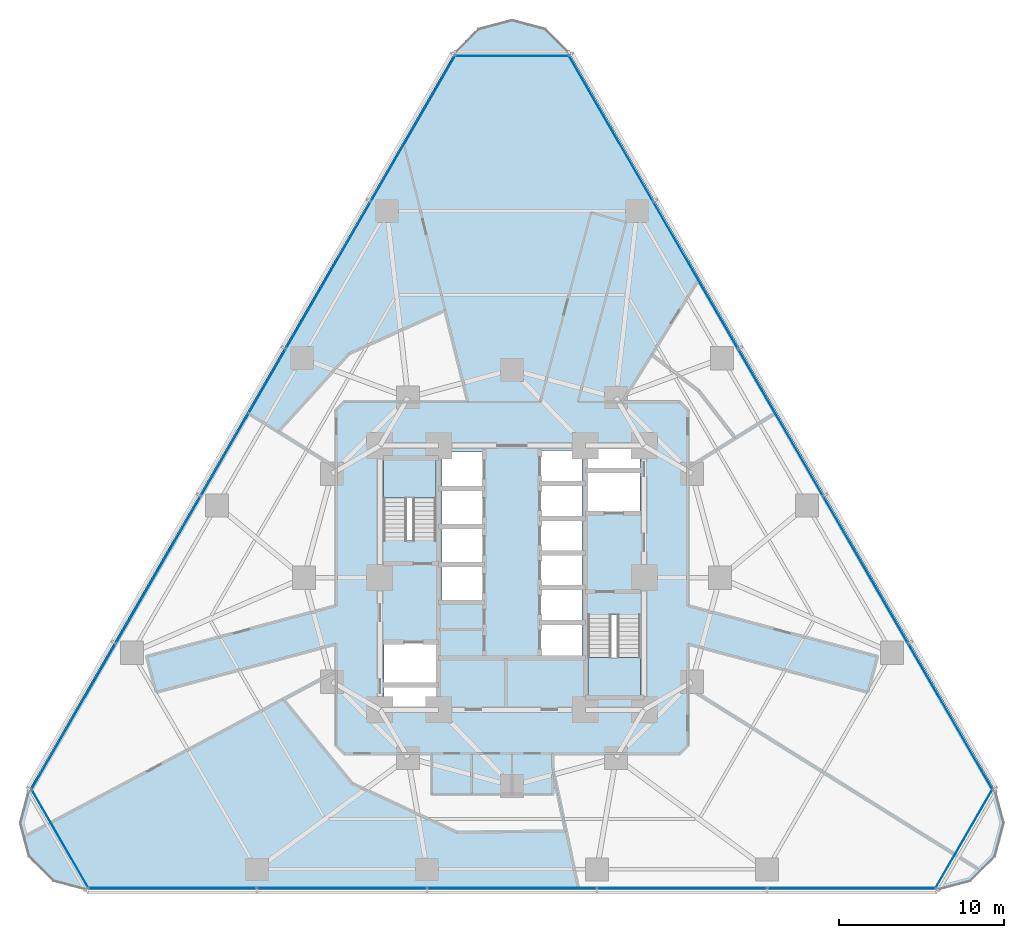
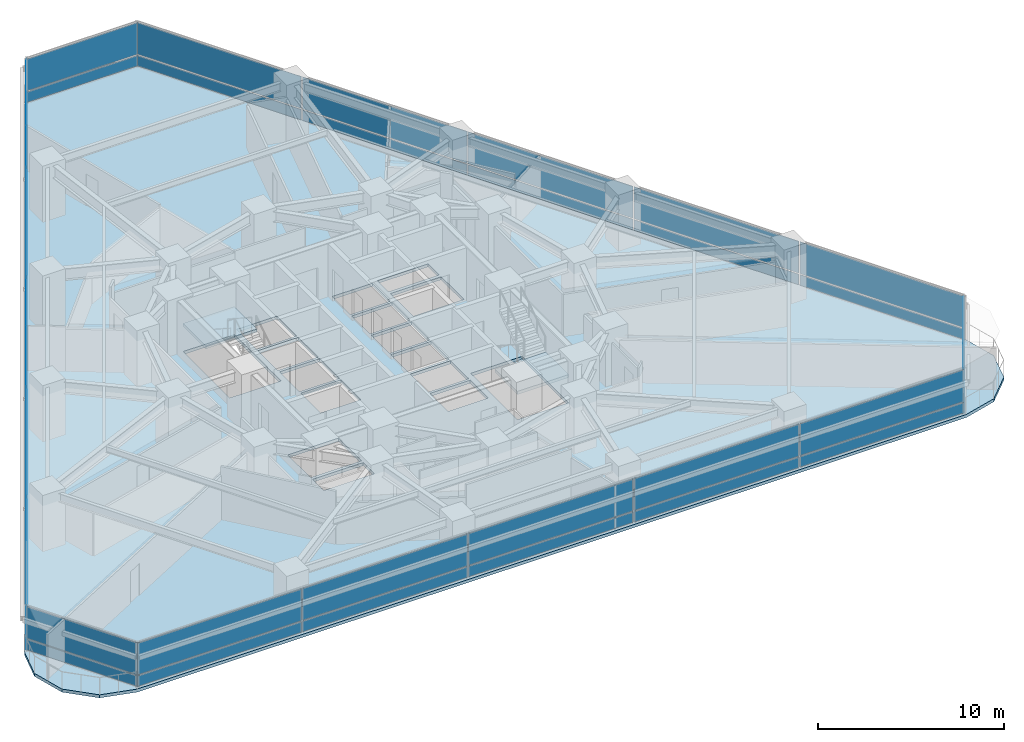
# One storey, part 7 of 15: 36 plates, 3 slabs, 8 elements without a shape of their own.
"""IFC4 building model written with IfcOpenShell, lengths in metres."""

from ifc_helpers import new_model, si_unit, direction, frame, origin, origin_2d, place, context, subcontext, project, spatial, polyline, rectangle, outline, extrude, material, layer, layer_set, type_object, element, aggregate, save


model = new_model("IFC4")

# Units and contexts
model_context = context("Model", 3, precision=1e-05, world=origin(), true_north=direction((0.0, 1.0)))
body_context = subcontext(model_context, "Body", "Model", "MODEL_VIEW")
ifc_project = project(units=[si_unit("LENGTHUNIT", "METRE"), si_unit("AREAUNIT", "SQUARE_METRE"), si_unit("VOLUMEUNIT", "CUBIC_METRE"), si_unit("PLANEANGLEUNIT", "RADIAN"), si_unit("MASSUNIT", "GRAM", prefix="KILO")], contexts=[model_context])

# Site, building, storey
site_placement = place(None, origin())
site = spatial("IfcSite", under=ifc_project, at=site_placement, CompositionType="ELEMENT")
building_placement = place(site_placement, origin())
building = spatial("IfcBuilding", under=site, at=building_placement, Name="Terralouvre Media Tower", CompositionType="ELEMENT")
storey_placement = place(building_placement, frame((0.0, 0.0, 33.39990234375)))
storey = spatial("IfcBuildingStorey", under=building, at=storey_placement, Name="L07", CompositionType="ELEMENT", Elevation=33.39990234375)

# Slab
ifc_material_1 = material(Name="Concrete C40/50", Category="concrete")
ifc_layer_1 = layer(ifc_material_1, 0.199951171875, Name="Composite Tower Floor Slab S-TYP200")
ifc_layer_set_1 = layer_set([ifc_layer_1], Name="Concrete C40/50")
slab_type_1 = type_object("IfcSlabType", Name="Composite Tower Floor Slab S-TYP200", PredefinedType="FLOOR", material=ifc_layer_set_1)
slab_1_placement = place(storey_placement, frame((0.0, 0.0, -0.199951171875)))
element("IfcSlab", 1, at=slab_1_placement, inside=storey, type_object=slab_type_1, Name="L07 Structural Floor Slab", PredefinedType="FLOOR", context=body_context, shape_type="SweptSolid", body=[
    extrude(outline(polyline([(-29.25732421875, -12.841796875), (-29.800048828125, -14.86669921875), (-29.25732421875, -16.891845703125), (-27.77490234375, -18.374267578125), (-25.75, -18.916748046875), (25.75, -18.916748046875), (27.77490234375, -18.374267578125), (29.25732421875, -16.891845703125), (29.800048828125, -14.86669921875), (29.25732421875, -12.841796875), (3.50732421875, 31.758544921875), (2.02490234375, 33.240966796875), (0.0, 33.783447265625), (-2.02490234375, 33.240966796875), (-3.50732421875, 31.758544921875), (-29.25732421875, -12.841796875)]), holes=[polyline([(-4.60009765625, -7.800048828125), (-7.75, -7.800048828125), (-7.75, -6.60009765625), (-4.60009765625, -6.60009765625), (-4.60009765625, -7.800048828125)]), polyline([(-4.60009765625, -6.39990234375), (-7.75, -6.39990234375), (-7.75, -3.949951171875), (-4.60009765625, -3.949951171875), (-4.60009765625, -6.39990234375)]), polyline([(-1.75, -1.419921875), (-4.25, -1.419921875), (-4.25, 0.719970703125), (-1.75, 0.719970703125), (-1.75, -1.419921875)]), polyline([(-1.75, 0.8798828125), (-4.25, 0.8798828125), (-4.25, 3.02001953125), (-1.75, 3.02001953125), (-1.75, 0.8798828125)]), polyline([(4.25, 1.580078125), (1.75, 1.580078125), (1.75, 3.52001953125), (4.25, 3.52001953125), (4.25, 1.580078125)]), polyline([(-1.75, 3.179931640625), (-4.25, 3.179931640625), (-4.25, 5.320068359375), (-1.75, 5.320068359375), (-1.75, 3.179931640625)]), polyline([(-4.60009765625, 2.2451171875), (-7.780029296875, 2.2451171875), (-7.780029296875, 7.260009765625), (-4.60009765625, 7.260009765625), (-4.60009765625, 2.2451171875)]), polyline([(-1.75, 5.47998046875), (-4.25, 5.47998046875), (-4.25, 7.6201171875), (-1.75, 7.6201171875), (-1.75, 5.47998046875)]), polyline([(4.60009765625, -2.2451171875), (7.780029296875, -2.2451171875), (7.780029296875, -7.260009765625), (4.60009765625, -7.260009765625), (4.60009765625, -2.2451171875)]), polyline([(4.25, -4.719970703125), (1.75, -4.719970703125), (1.75, -2.780029296875), (4.25, -2.780029296875), (4.25, -4.719970703125)]), polyline([(4.25, -2.6201171875), (1.75, -2.6201171875), (1.75, -0.679931640625), (4.25, -0.679931640625), (4.25, -2.6201171875)]), polyline([(4.25, -0.52001953125), (1.75, -0.52001953125), (1.75, 1.419921875), (4.25, 1.419921875), (4.25, -0.52001953125)]), polyline([(4.25, 3.679931640625), (1.75, 3.679931640625), (1.75, 5.6201171875), (4.25, 5.6201171875), (4.25, 3.679931640625)]), polyline([(7.75, 3.949951171875), (4.60009765625, 3.949951171875), (4.60009765625, 6.39990234375), (7.75, 6.39990234375), (7.75, 3.949951171875)]), polyline([(4.25, 5.780029296875), (1.75, 5.780029296875), (1.75, 7.719970703125), (4.25, 7.719970703125), (4.25, 5.780029296875)]), polyline([(7.75, 6.60009765625), (4.60009765625, 6.60009765625), (4.60009765625, 7.800048828125), (7.75, 7.800048828125), (7.75, 6.60009765625)])]), origin(), (0.0, 0.0, 1.0), 0.199951171875),
])

# Stair, slab
ifc_material_2 = material(Name="Concrete C45/55", Category="concrete")
stair_type_1 = type_object("IfcStairType", Name="Dogleg Stair Assembly ST-01", PredefinedType="HALF_TURN_STAIR", material=ifc_material_2)
stair_1_placement = place(storey_placement, origin())
stair_1 = element("IfcStair", 2, at=stair_1_placement, inside=storey, type_object=stair_type_1, Name="L07 Core Pressurised Exit Stair ST-01", PredefinedType="HALF_TURN_STAIR")
ifc_material_3 = material(Name="Concrete C45/55", Category="concrete")
ifc_layer_2 = layer(ifc_material_3, 0.199951171875, Name="Reinforced Concrete Stair Half-Landing SL-LD1")
ifc_layer_set_2 = layer_set([ifc_layer_2], Name="Concrete C45/55")
slab_type_2 = type_object("IfcSlabType", Name="Reinforced Concrete Stair Half-Landing SL-LD1", PredefinedType="LANDING", material=ifc_layer_set_2)
slab_2_placement = place(storey_placement, frame((0.0, 0.0, 1.650146484375)))
slab_2 = element("IfcSlab", 3, at=slab_2_placement, type_object=slab_type_2, Name="ST-01 landing 1", PredefinedType="LANDING", context=body_context, shape_type="SweptSolid", body=[
    extrude(outline(polyline([(-4.60009765625, 4.820068359375), (-4.60009765625, 7.260009765625), (-7.780029296875, 7.260009765625), (-7.780029296875, 4.820068359375), (-4.60009765625, 4.820068359375)])), origin(), (0.0, 0.0, 1.0), 0.199951171875),
])
aggregate(stair_1, [slab_2])

ifc_material_4 = material(Name="Concrete C45/55", Category="concrete")
stair_type_2 = type_object("IfcStairType", Name="Dogleg Stair Assembly ST-02", PredefinedType="HALF_TURN_STAIR", material=ifc_material_4)
stair_2_placement = place(storey_placement, origin())
stair_2 = element("IfcStair", 4, at=stair_2_placement, inside=storey, type_object=stair_type_2, Name="L07 Core Pressurised Exit Stair ST-02", PredefinedType="HALF_TURN_STAIR")
slab_3_placement = place(storey_placement, frame((0.0, 0.0, 1.650146484375)))
slab_3 = element("IfcSlab", 5, at=slab_3_placement, type_object=slab_type_2, Name="ST-02 landing 1", PredefinedType="LANDING", context=body_context, shape_type="SweptSolid", body=[
    extrude(outline(polyline([(4.60009765625, -4.820068359375), (4.60009765625, -7.260009765625), (7.780029296875, -7.260009765625), (7.780029296875, -4.820068359375), (4.60009765625, -4.820068359375)])), origin(), (0.0, 0.0, 1.0), 0.199951171875),
])
aggregate(stair_2, [slab_3])

# Curtain wall, plates
ifc_material_5 = material(Name="Low-iron laminated double glazing with solar-control coating", Category="glass")
ifc_layer_3 = layer(ifc_material_5, 0.1650390625, Name="Rounded Wind-Corner Curved Glazing CW-04")
ifc_layer_set_3 = layer_set([ifc_layer_3], Name="Low-iron laminated double glazing with solar-control coating")
curtain_wall_type_1 = type_object("IfcCurtainWallType", Name="Rounded Wind-Corner Curved Glazing CW-04", PredefinedType="NOTDEFINED", material=ifc_layer_set_3)
curtain_wall_1_placement = place(storey_placement, origin())
curtain_wall_1 = element("IfcCurtainWall", 6, at=curtain_wall_1_placement, inside=storey, type_object=curtain_wall_type_1, Name="L07 Rounded Wind-Corner Curtain Wall C0", PredefinedType="NOTDEFINED")
ifc_material_6 = material(Name="Low-iron laminated double glazing with solar-control coating", Category="glass")
ifc_layer_4 = layer(ifc_material_6, 0.0400390625, Name="Rounded Corner Laminated Vision Panel CWP-03")
ifc_layer_set_4 = layer_set([ifc_layer_4], Name="Low-iron laminated double glazing with solar-control coating")
plate_type_1 = type_object("IfcPlateType", Name="Rounded Corner Laminated Vision Panel CWP-03", PredefinedType="CURTAIN_PANEL", material=ifc_layer_set_4)
plate_1_placement = place(storey_placement, frame((-27.382568359375, -15.809326171875, 0.0751953125), z_axis=(0.0, 0.0, 1.0), x_axis=(0.499999691503, -0.866025581895, 0.0)))
plate_1 = element("IfcPlate", 7, at=plate_1_placement, type_object=plate_type_1, Name="CW-04 panel 1.1", PredefinedType="CURTAIN_PANEL", context=body_context, shape_type="SweptSolid", body=[
    extrude(rectangle(XDim=6.86474609375, YDim=0.035888671875, at=origin_2d()), origin(), (0.0, 0.0, 1.0), 0.6875),
])
plate_2_placement = place(storey_placement, frame((-27.382568359375, -15.809326171875, 0.837646484375), z_axis=(0.0, 0.0, 1.0), x_axis=(0.499999691503, -0.866025581895, 0.0)))
plate_2 = element("IfcPlate", 8, at=plate_2_placement, type_object=plate_type_1, Name="CW-04 panel 1.2", PredefinedType="CURTAIN_PANEL", context=body_context, shape_type="SweptSolid", body=[
    extrude(rectangle(XDim=6.86474609375, YDim=0.035888671875, at=origin_2d()), origin(), (0.0, 0.0, 1.0), 2.08740234375),
])
aggregate(curtain_wall_1, [plate_1, plate_2])

curtain_wall_2_placement = place(storey_placement, origin())
curtain_wall_2 = element("IfcCurtainWall", 9, at=curtain_wall_2_placement, inside=storey, type_object=curtain_wall_type_1, Name="L07 Rounded Wind-Corner Curtain Wall C1", PredefinedType="NOTDEFINED")
plate_3_placement = place(storey_placement, frame((27.382568359375, -15.809326171875, 0.0751953125), z_axis=(0.0, 0.0, 1.0), x_axis=(0.499999691503, 0.866025581895, 0.0)))
plate_3 = element("IfcPlate", 10, at=plate_3_placement, type_object=plate_type_1, Name="CW-04 panel 1.1", PredefinedType="CURTAIN_PANEL", context=body_context, shape_type="SweptSolid", body=[
    extrude(rectangle(XDim=6.86474609375, YDim=0.035888671875, at=origin_2d()), origin(), (0.0, 0.0, 1.0), 0.6875),
])
plate_4_placement = place(storey_placement, frame((27.382568359375, -15.809326171875, 0.837646484375), z_axis=(0.0, 0.0, 1.0), x_axis=(0.499999691503, 0.866025581895, 0.0)))
plate_4 = element("IfcPlate", 11, at=plate_4_placement, type_object=plate_type_1, Name="CW-04 panel 1.2", PredefinedType="CURTAIN_PANEL", context=body_context, shape_type="SweptSolid", body=[
    extrude(rectangle(XDim=6.86474609375, YDim=0.035888671875, at=origin_2d()), origin(), (0.0, 0.0, 1.0), 2.08740234375),
])
aggregate(curtain_wall_2, [plate_3, plate_4])

curtain_wall_3_placement = place(storey_placement, origin())
curtain_wall_3 = element("IfcCurtainWall", 12, at=curtain_wall_3_placement, inside=storey, type_object=curtain_wall_type_1, Name="L07 Rounded Wind-Corner Curtain Wall C2", PredefinedType="NOTDEFINED")
plate_5_placement = place(storey_placement, frame((0.0, 31.61865234375, 0.0751953125), z_axis=(0.0, 0.0, 1.0), x_axis=(-1.0, 0.0, 0.0)))
plate_5 = element("IfcPlate", 13, at=plate_5_placement, type_object=plate_type_1, Name="CW-04 panel 1.1", PredefinedType="CURTAIN_PANEL", context=body_context, shape_type="SweptSolid", body=[
    extrude(rectangle(XDim=6.86474609375, YDim=0.035888671875, at=origin_2d()), origin(), (0.0, 0.0, 1.0), 0.6875),
])
plate_6_placement = place(storey_placement, frame((0.0, 31.61865234375, 0.837646484375), z_axis=(0.0, 0.0, 1.0), x_axis=(-1.0, 0.0, 0.0)))
plate_6 = element("IfcPlate", 14, at=plate_6_placement, type_object=plate_type_1, Name="CW-04 panel 1.2", PredefinedType="CURTAIN_PANEL", context=body_context, shape_type="SweptSolid", body=[
    extrude(rectangle(XDim=6.86474609375, YDim=0.035888671875, at=origin_2d()), origin(), (0.0, 0.0, 1.0), 2.08740234375),
])
aggregate(curtain_wall_3, [plate_5, plate_6])

ifc_material_7 = material(Name="Low-iron laminated double glazing with solar-control coating", Category="glass")
ifc_layer_5 = layer(ifc_material_7, 0.1650390625, Name="Lower Media Tower Unitised Curtain Wall CW-02")
ifc_layer_set_5 = layer_set([ifc_layer_5], Name="Low-iron laminated double glazing with solar-control coating")
curtain_wall_type_2 = type_object("IfcCurtainWallType", Name="Lower Media Tower Unitised Curtain Wall CW-02", PredefinedType="NOTDEFINED", material=ifc_layer_set_5)
curtain_wall_4_placement = place(storey_placement, origin())
curtain_wall_4 = element("IfcCurtainWall", 15, at=curtain_wall_4_placement, inside=storey, type_object=curtain_wall_type_2, Name="L07 Facade Curtain Wall F0", PredefinedType="NOTDEFINED")
ifc_material_8 = material(Name="Low-iron laminated double glazing with solar-control coating", Category="glass")
ifc_layer_6 = layer(ifc_material_8, 0.035888671875, Name="Vision Double-Glazed Unit CWP-01")
ifc_layer_set_6 = layer_set([ifc_layer_6], Name="Low-iron laminated double glazing with solar-control coating")
plate_type_2 = type_object("IfcPlateType", Name="Vision Double-Glazed Unit CWP-01", PredefinedType="CURTAIN_PANEL", material=ifc_layer_set_6)
plate_7_placement = place(storey_placement, frame((-20.581298828125, -18.796875, 0.0751953125), z_axis=(0.0, 0.0, 1.0), x_axis=(1.0, 0.0, 0.0)))
plate_7 = element("IfcPlate", 16, at=plate_7_placement, type_object=plate_type_2, Name="CW-02 panel 1.1", PredefinedType="CURTAIN_PANEL", context=body_context, shape_type="SweptSolid", body=[
    extrude(rectangle(XDim=10.1875, YDim=0.035888671875, at=origin_2d()), origin(), (0.0, 0.0, 1.0), 0.6875),
])
plate_8_placement = place(storey_placement, frame((-20.581298828125, -18.796875, 0.837646484375), z_axis=(0.0, 0.0, 1.0), x_axis=(1.0, 0.0, 0.0)))
plate_8 = element("IfcPlate", 17, at=plate_8_placement, type_object=plate_type_2, Name="CW-02 panel 1.2", PredefinedType="CURTAIN_PANEL", context=body_context, shape_type="SweptSolid", body=[
    extrude(rectangle(XDim=10.1875, YDim=0.035888671875, at=origin_2d()), origin(), (0.0, 0.0, 1.0), 2.08740234375),
])
plate_9_placement = place(storey_placement, frame((-10.300048828125, -18.796875, 0.0751953125), z_axis=(0.0, 0.0, 1.0), x_axis=(1.0, 0.0, 0.0)))
plate_9 = element("IfcPlate", 18, at=plate_9_placement, type_object=plate_type_2, Name="CW-02 panel 2.1", PredefinedType="CURTAIN_PANEL", context=body_context, shape_type="SweptSolid", body=[
    extrude(rectangle(XDim=10.22509765625, YDim=0.035888671875, at=origin_2d()), origin(), (0.0, 0.0, 1.0), 0.6875),
])
plate_10_placement = place(storey_placement, frame((-10.300048828125, -18.796875, 0.837646484375), z_axis=(0.0, 0.0, 1.0), x_axis=(1.0, 0.0, 0.0)))
plate_10 = element("IfcPlate", 19, at=plate_10_placement, type_object=plate_type_2, Name="CW-02 panel 2.2", PredefinedType="CURTAIN_PANEL", context=body_context, shape_type="SweptSolid", body=[
    extrude(rectangle(XDim=10.22509765625, YDim=0.035888671875, at=origin_2d()), origin(), (0.0, 0.0, 1.0), 2.08740234375),
])
plate_11_placement = place(storey_placement, frame((0.0, -18.796875, 0.0751953125), z_axis=(0.0, 0.0, 1.0), x_axis=(1.0, 0.0, 0.0)))
plate_11 = element("IfcPlate", 20, at=plate_11_placement, type_object=plate_type_2, Name="CW-02 panel 3.1", PredefinedType="CURTAIN_PANEL", context=body_context, shape_type="SweptSolid", body=[
    extrude(rectangle(XDim=10.22509765625, YDim=0.035888671875, at=origin_2d()), origin(), (0.0, 0.0, 1.0), 0.6875),
])
plate_12_placement = place(storey_placement, frame((0.0, -18.796875, 0.837646484375), z_axis=(0.0, 0.0, 1.0), x_axis=(1.0, 0.0, 0.0)))
plate_12 = element("IfcPlate", 21, at=plate_12_placement, type_object=plate_type_2, Name="CW-02 panel 3.2", PredefinedType="CURTAIN_PANEL", context=body_context, shape_type="SweptSolid", body=[
    extrude(rectangle(XDim=10.22509765625, YDim=0.035888671875, at=origin_2d()), origin(), (0.0, 0.0, 1.0), 2.08740234375),
])
plate_13_placement = place(storey_placement, frame((10.300048828125, -18.796875, 0.0751953125), z_axis=(0.0, 0.0, 1.0), x_axis=(1.0, 0.0, 0.0)))
plate_13 = element("IfcPlate", 22, at=plate_13_placement, type_object=plate_type_2, Name="CW-02 panel 4.1", PredefinedType="CURTAIN_PANEL", context=body_context, shape_type="SweptSolid", body=[
    extrude(rectangle(XDim=10.22509765625, YDim=0.035888671875, at=origin_2d()), origin(), (0.0, 0.0, 1.0), 0.6875),
])
plate_14_placement = place(storey_placement, frame((10.300048828125, -18.796875, 0.837646484375), z_axis=(0.0, 0.0, 1.0), x_axis=(1.0, 0.0, 0.0)))
plate_14 = element("IfcPlate", 23, at=plate_14_placement, type_object=plate_type_2, Name="CW-02 panel 4.2", PredefinedType="CURTAIN_PANEL", context=body_context, shape_type="SweptSolid", body=[
    extrude(rectangle(XDim=10.22509765625, YDim=0.035888671875, at=origin_2d()), origin(), (0.0, 0.0, 1.0), 2.08740234375),
])
plate_15_placement = place(storey_placement, frame((20.581298828125, -18.796875, 0.0751953125), z_axis=(0.0, 0.0, 1.0), x_axis=(1.0, 0.0, 0.0)))
plate_15 = element("IfcPlate", 24, at=plate_15_placement, type_object=plate_type_2, Name="CW-02 panel 5.1", PredefinedType="CURTAIN_PANEL", context=body_context, shape_type="SweptSolid", body=[
    extrude(rectangle(XDim=10.1875, YDim=0.035888671875, at=origin_2d()), origin(), (0.0, 0.0, 1.0), 0.6875),
])
plate_16_placement = place(storey_placement, frame((20.581298828125, -18.796875, 0.837646484375), z_axis=(0.0, 0.0, 1.0), x_axis=(1.0, 0.0, 0.0)))
plate_16 = element("IfcPlate", 25, at=plate_16_placement, type_object=plate_type_2, Name="CW-02 panel 5.2", PredefinedType="CURTAIN_PANEL", context=body_context, shape_type="SweptSolid", body=[
    extrude(rectangle(XDim=10.1875, YDim=0.035888671875, at=origin_2d()), origin(), (0.0, 0.0, 1.0), 2.08740234375),
])
aggregate(curtain_wall_4, [plate_7, plate_8, plate_9, plate_10, plate_11, plate_12, plate_13, plate_14, plate_15, plate_16])

curtain_wall_5_placement = place(storey_placement, origin())
curtain_wall_5 = element("IfcCurtainWall", 26, at=curtain_wall_5_placement, inside=storey, type_object=curtain_wall_type_2, Name="L07 Facade Curtain Wall F1", PredefinedType="NOTDEFINED")
plate_17_placement = place(storey_placement, frame((26.569091796875, -8.425537109375, 0.0751953125), z_axis=(0.0, 0.0, 1.0), x_axis=(-0.499999985671, 0.866025412057, 0.0)))
plate_17 = element("IfcPlate", 27, at=plate_17_placement, type_object=plate_type_2, Name="CW-02 panel 1.1", PredefinedType="CURTAIN_PANEL", context=body_context, shape_type="SweptSolid", body=[
    extrude(rectangle(XDim=10.1875, YDim=0.035888671875, at=origin_2d()), origin(), (0.0, 0.0, 1.0), 0.6875),
])
plate_18_placement = place(storey_placement, frame((26.569091796875, -8.425537109375, 0.837646484375), z_axis=(0.0, 0.0, 1.0), x_axis=(-0.499999985671, 0.866025412057, 0.0)))
plate_18 = element("IfcPlate", 28, at=plate_18_placement, type_object=plate_type_2, Name="CW-02 panel 1.2", PredefinedType="CURTAIN_PANEL", context=body_context, shape_type="SweptSolid", body=[
    extrude(rectangle(XDim=10.1875, YDim=0.035888671875, at=origin_2d()), origin(), (0.0, 0.0, 1.0), 2.08740234375),
])
plate_19_placement = place(storey_placement, frame((21.428466796875, 0.478271484375, 0.0751953125), z_axis=(0.0, 0.0, 1.0), x_axis=(-0.499999985671, 0.866025412057, 0.0)))
plate_19 = element("IfcPlate", 29, at=plate_19_placement, type_object=plate_type_2, Name="CW-02 panel 2.1", PredefinedType="CURTAIN_PANEL", context=body_context, shape_type="SweptSolid", body=[
    extrude(rectangle(XDim=10.22509765625, YDim=0.035888671875, at=origin_2d()), origin(), (0.0, 0.0, 1.0), 0.6875),
])
plate_20_placement = place(storey_placement, frame((21.428466796875, 0.478271484375, 0.837646484375), z_axis=(0.0, 0.0, 1.0), x_axis=(-0.499999985671, 0.866025412057, 0.0)))
plate_20 = element("IfcPlate", 30, at=plate_20_placement, type_object=plate_type_2, Name="CW-02 panel 2.2", PredefinedType="CURTAIN_PANEL", context=body_context, shape_type="SweptSolid", body=[
    extrude(rectangle(XDim=10.22509765625, YDim=0.035888671875, at=origin_2d()), origin(), (0.0, 0.0, 1.0), 2.08740234375),
])
plate_21_placement = place(storey_placement, frame((16.278564453125, 9.3984375, 0.0751953125), z_axis=(0.0, 0.0, 1.0), x_axis=(-0.499999985671, 0.866025412057, 0.0)))
plate_21 = element("IfcPlate", 31, at=plate_21_placement, type_object=plate_type_2, Name="CW-02 panel 3.1", PredefinedType="CURTAIN_PANEL", context=body_context, shape_type="SweptSolid", body=[
    extrude(rectangle(XDim=10.22509765625, YDim=0.035888671875, at=origin_2d()), origin(), (0.0, 0.0, 1.0), 0.6875),
])
plate_22_placement = place(storey_placement, frame((16.278564453125, 9.3984375, 0.837646484375), z_axis=(0.0, 0.0, 1.0), x_axis=(-0.499999985671, 0.866025412057, 0.0)))
plate_22 = element("IfcPlate", 32, at=plate_22_placement, type_object=plate_type_2, Name="CW-02 panel 3.2", PredefinedType="CURTAIN_PANEL", context=body_context, shape_type="SweptSolid", body=[
    extrude(rectangle(XDim=10.22509765625, YDim=0.035888671875, at=origin_2d()), origin(), (0.0, 0.0, 1.0), 2.08740234375),
])
plate_23_placement = place(storey_placement, frame((11.12841796875, 18.318359375, 0.0751953125), z_axis=(0.0, 0.0, 1.0), x_axis=(-0.499999985671, 0.866025412057, 0.0)))
plate_23 = element("IfcPlate", 33, at=plate_23_placement, type_object=plate_type_2, Name="CW-02 panel 4.1", PredefinedType="CURTAIN_PANEL", context=body_context, shape_type="SweptSolid", body=[
    extrude(rectangle(XDim=10.22509765625, YDim=0.035888671875, at=origin_2d()), origin(), (0.0, 0.0, 1.0), 0.6875),
])
plate_24_placement = place(storey_placement, frame((11.12841796875, 18.318359375, 0.837646484375), z_axis=(0.0, 0.0, 1.0), x_axis=(-0.499999985671, 0.866025412057, 0.0)))
plate_24 = element("IfcPlate", 34, at=plate_24_placement, type_object=plate_type_2, Name="CW-02 panel 4.2", PredefinedType="CURTAIN_PANEL", context=body_context, shape_type="SweptSolid", body=[
    extrude(rectangle(XDim=10.22509765625, YDim=0.035888671875, at=origin_2d()), origin(), (0.0, 0.0, 1.0), 2.08740234375),
])
plate_25_placement = place(storey_placement, frame((5.98779296875, 27.22216796875, 0.0751953125), z_axis=(0.0, 0.0, 1.0), x_axis=(-0.499999985671, 0.866025412057, 0.0)))
plate_25 = element("IfcPlate", 35, at=plate_25_placement, type_object=plate_type_2, Name="CW-02 panel 5.1", PredefinedType="CURTAIN_PANEL", context=body_context, shape_type="SweptSolid", body=[
    extrude(rectangle(XDim=10.1875, YDim=0.035888671875, at=origin_2d()), origin(), (0.0, 0.0, 1.0), 0.6875),
])
plate_26_placement = place(storey_placement, frame((5.98779296875, 27.22216796875, 0.837646484375), z_axis=(0.0, 0.0, 1.0), x_axis=(-0.499999985671, 0.866025412057, 0.0)))
plate_26 = element("IfcPlate", 36, at=plate_26_placement, type_object=plate_type_2, Name="CW-02 panel 5.2", PredefinedType="CURTAIN_PANEL", context=body_context, shape_type="SweptSolid", body=[
    extrude(rectangle(XDim=10.1875, YDim=0.035888671875, at=origin_2d()), origin(), (0.0, 0.0, 1.0), 2.08740234375),
])
aggregate(curtain_wall_5, [plate_17, plate_18, plate_19, plate_20, plate_21, plate_22, plate_23, plate_24, plate_25, plate_26])

curtain_wall_6_placement = place(storey_placement, origin())
curtain_wall_6 = element("IfcCurtainWall", 37, at=curtain_wall_6_placement, inside=storey, type_object=curtain_wall_type_2, Name="L07 Facade Curtain Wall F2", PredefinedType="NOTDEFINED")
plate_27_placement = place(storey_placement, frame((-5.98779296875, 27.22216796875, 0.0751953125), z_axis=(0.0, 0.0, 1.0), x_axis=(-0.499999985671, -0.866025412057, 0.0)))
plate_27 = element("IfcPlate", 38, at=plate_27_placement, type_object=plate_type_2, Name="CW-02 panel 1.1", PredefinedType="CURTAIN_PANEL", context=body_context, shape_type="SweptSolid", body=[
    extrude(rectangle(XDim=10.1875, YDim=0.035888671875, at=origin_2d()), origin(), (0.0, 0.0, 1.0), 0.6875),
])
plate_28_placement = place(storey_placement, frame((-5.98779296875, 27.22216796875, 0.837646484375), z_axis=(0.0, 0.0, 1.0), x_axis=(-0.499999985671, -0.866025412057, 0.0)))
plate_28 = element("IfcPlate", 39, at=plate_28_placement, type_object=plate_type_2, Name="CW-02 panel 1.2", PredefinedType="CURTAIN_PANEL", context=body_context, shape_type="SweptSolid", body=[
    extrude(rectangle(XDim=10.1875, YDim=0.035888671875, at=origin_2d()), origin(), (0.0, 0.0, 1.0), 2.08740234375),
])
plate_29_placement = place(storey_placement, frame((-11.12841796875, 18.318359375, 0.0751953125), z_axis=(0.0, 0.0, 1.0), x_axis=(-0.499999985671, -0.866025412057, 0.0)))
plate_29 = element("IfcPlate", 40, at=plate_29_placement, type_object=plate_type_2, Name="CW-02 panel 2.1", PredefinedType="CURTAIN_PANEL", context=body_context, shape_type="SweptSolid", body=[
    extrude(rectangle(XDim=10.22509765625, YDim=0.035888671875, at=origin_2d()), origin(), (0.0, 0.0, 1.0), 0.6875),
])
plate_30_placement = place(storey_placement, frame((-11.12841796875, 18.318359375, 0.837646484375), z_axis=(0.0, 0.0, 1.0), x_axis=(-0.499999985671, -0.866025412057, 0.0)))
plate_30 = element("IfcPlate", 41, at=plate_30_placement, type_object=plate_type_2, Name="CW-02 panel 2.2", PredefinedType="CURTAIN_PANEL", context=body_context, shape_type="SweptSolid", body=[
    extrude(rectangle(XDim=10.22509765625, YDim=0.035888671875, at=origin_2d()), origin(), (0.0, 0.0, 1.0), 2.08740234375),
])
plate_31_placement = place(storey_placement, frame((-16.278564453125, 9.3984375, 0.0751953125), z_axis=(0.0, 0.0, 1.0), x_axis=(-0.499999985671, -0.866025412057, 0.0)))
plate_31 = element("IfcPlate", 42, at=plate_31_placement, type_object=plate_type_2, Name="CW-02 panel 3.1", PredefinedType="CURTAIN_PANEL", context=body_context, shape_type="SweptSolid", body=[
    extrude(rectangle(XDim=10.22509765625, YDim=0.035888671875, at=origin_2d()), origin(), (0.0, 0.0, 1.0), 0.6875),
])
plate_32_placement = place(storey_placement, frame((-16.278564453125, 9.3984375, 0.837646484375), z_axis=(0.0, 0.0, 1.0), x_axis=(-0.499999985671, -0.866025412057, 0.0)))
plate_32 = element("IfcPlate", 43, at=plate_32_placement, type_object=plate_type_2, Name="CW-02 panel 3.2", PredefinedType="CURTAIN_PANEL", context=body_context, shape_type="SweptSolid", body=[
    extrude(rectangle(XDim=10.22509765625, YDim=0.035888671875, at=origin_2d()), origin(), (0.0, 0.0, 1.0), 2.08740234375),
])
plate_33_placement = place(storey_placement, frame((-21.428466796875, 0.478271484375, 0.0751953125), z_axis=(0.0, 0.0, 1.0), x_axis=(-0.499999985671, -0.866025412057, 0.0)))
plate_33 = element("IfcPlate", 44, at=plate_33_placement, type_object=plate_type_2, Name="CW-02 panel 4.1", PredefinedType="CURTAIN_PANEL", context=body_context, shape_type="SweptSolid", body=[
    extrude(rectangle(XDim=10.22509765625, YDim=0.035888671875, at=origin_2d()), origin(), (0.0, 0.0, 1.0), 0.6875),
])
plate_34_placement = place(storey_placement, frame((-21.428466796875, 0.478271484375, 0.837646484375), z_axis=(0.0, 0.0, 1.0), x_axis=(-0.499999985671, -0.866025412057, 0.0)))
plate_34 = element("IfcPlate", 45, at=plate_34_placement, type_object=plate_type_2, Name="CW-02 panel 4.2", PredefinedType="CURTAIN_PANEL", context=body_context, shape_type="SweptSolid", body=[
    extrude(rectangle(XDim=10.22509765625, YDim=0.035888671875, at=origin_2d()), origin(), (0.0, 0.0, 1.0), 2.08740234375),
])
plate_35_placement = place(storey_placement, frame((-26.569091796875, -8.425537109375, 0.0751953125), z_axis=(0.0, 0.0, 1.0), x_axis=(-0.499999985671, -0.866025412057, 0.0)))
plate_35 = element("IfcPlate", 46, at=plate_35_placement, type_object=plate_type_2, Name="CW-02 panel 5.1", PredefinedType="CURTAIN_PANEL", context=body_context, shape_type="SweptSolid", body=[
    extrude(rectangle(XDim=10.1875, YDim=0.035888671875, at=origin_2d()), origin(), (0.0, 0.0, 1.0), 0.6875),
])
plate_36_placement = place(storey_placement, frame((-26.569091796875, -8.425537109375, 0.837646484375), z_axis=(0.0, 0.0, 1.0), x_axis=(-0.499999985671, -0.866025412057, 0.0)))
plate_36 = element("IfcPlate", 47, at=plate_36_placement, type_object=plate_type_2, Name="CW-02 panel 5.2", PredefinedType="CURTAIN_PANEL", context=body_context, shape_type="SweptSolid", body=[
    extrude(rectangle(XDim=10.1875, YDim=0.035888671875, at=origin_2d()), origin(), (0.0, 0.0, 1.0), 2.08740234375),
])
aggregate(curtain_wall_6, [plate_27, plate_28, plate_29, plate_30, plate_31, plate_32, plate_33, plate_34, plate_35, plate_36])

save(model, "model.ifc")
